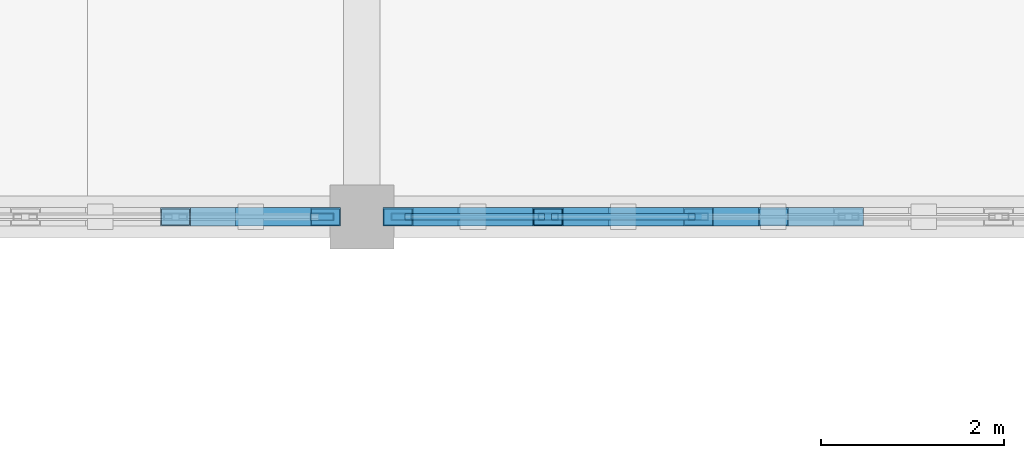
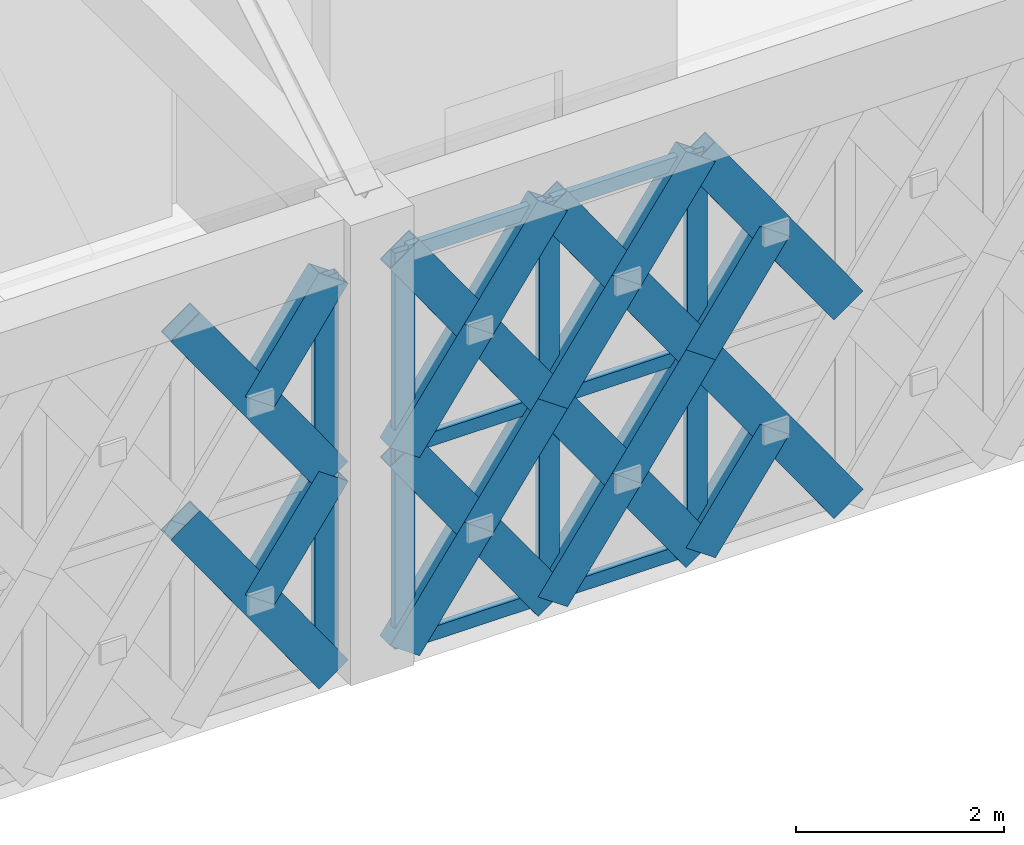
# One storey, part 43 of 72: 30 members, 2 elements without a shape of their own.
"""IFC4 building model written with IfcOpenShell, lengths in metres."""

from ifc_helpers import new_model, si_unit, direction, frame, origin, origin_2d, place, context, subcontext, project, spatial, hollow_rectangle, extrude, material, material_profile, profile_set, type_object, element, aggregate, save


model = new_model("IFC4")

# Units and contexts
model_context = context("Model", 3, precision=1e-05, world=origin(), true_north=direction((0.0, 1.0)))
body_context = subcontext(model_context, "Body", "Model", "MODEL_VIEW")
ifc_project = project(units=[si_unit("LENGTHUNIT", "METRE"), si_unit("AREAUNIT", "SQUARE_METRE"), si_unit("VOLUMEUNIT", "CUBIC_METRE"), si_unit("PLANEANGLEUNIT", "RADIAN"), si_unit("MASSUNIT", "GRAM", prefix="KILO")], contexts=[model_context])

# Site, building, storey
site_placement = place(None, origin())
site = spatial("IfcSite", under=ifc_project, at=site_placement, CompositionType="ELEMENT")
building_placement = place(site_placement, origin())
building = spatial("IfcBuilding", under=site, at=building_placement, Name="Haizhuo Lancet Aquarium", CompositionType="ELEMENT")
storey_placement = place(building_placement, frame((0.0, 0.0, 21.60009765625)))
storey = spatial("IfcBuildingStorey", under=building, at=storey_placement, Name="L04", CompositionType="ELEMENT", Elevation=21.60009765625)

# Curtain wall, members
ifc_material_1 = material(Name="Aluminium 6063-T6", Category="aluminium")
curtain_wall_type = type_object("IfcCurtainWallType", Name="CWD-8210x4650", PredefinedType="NOTDEFINED", material=ifc_material_1)
curtain_wall_1_placement = place(storey_placement, origin())
curtain_wall_1 = element("IfcCurtainWall", 1, at=curtain_wall_1_placement, inside=storey, type_object=curtain_wall_type, Name="L04 curtain wall CW-V5-L04-185", PredefinedType="NOTDEFINED")
ifc_material_profile_1 = material_profile(ifc_material_1, hollow_rectangle(XDim=0.074951171875, YDim=0.219970703125, WallThickness=0.0048828125, at=origin_2d()), Name="ALU-M 75x220x5")
ifc_profile_set_1 = profile_set([ifc_material_profile_1], Name="Aluminium 6063-T6")
member_type_1 = type_object("IfcMemberType", Name="CW-MUL-2", PredefinedType="MULLION", material=ifc_profile_set_1)
member_1_placement = place(storey_placement, frame((12.678955078125, 36.0, 0.0), z_axis=(0.0, 0.0, 1.0), x_axis=(0.0, -1.0, 0.0)))
member_1 = element("IfcMember", 2, at=member_1_placement, type_object=member_type_1, Name="CWD-82x46 mullion 4", PredefinedType="MULLION", context=body_context, shape_type="SweptSolid", body=[
    extrude(hollow_rectangle(XDim=0.074951171875, YDim=0.219970703125, WallThickness=0.0048828125, at=origin_2d()), origin(), (0.0, 0.0, 1.0), 4.64990234375),
])
member_2_placement = place(storey_placement, frame((11.037109375, 36.0, 0.0), z_axis=(0.0, 0.0, 1.0), x_axis=(0.0, -1.0, 0.0)))
member_2 = element("IfcMember", 3, at=member_2_placement, type_object=member_type_1, Name="CWD-82x46 mullion 5", PredefinedType="MULLION", context=body_context, shape_type="SweptSolid", body=[
    extrude(hollow_rectangle(XDim=0.074951171875, YDim=0.219970703125, WallThickness=0.0048828125, at=origin_2d()), origin(), (0.0, 0.0, 1.0), 4.64990234375),
])
member_3_placement = place(storey_placement, frame((9.431884765625, 36.0, 0.0), z_axis=(0.0, 0.0, 1.0), x_axis=(0.0, -1.0, 0.0)))
member_3 = element("IfcMember", 4, at=member_3_placement, type_object=member_type_1, Name="CWD-82x46 mullion 6", PredefinedType="MULLION", context=body_context, shape_type="SweptSolid", body=[
    extrude(hollow_rectangle(XDim=0.074951171875, YDim=0.219970703125, WallThickness=0.0048828125, at=origin_2d()), origin(), (0.0, 0.0, 1.0), 4.64990234375),
])

# Curtain wall, member
curtain_wall_2_placement = place(storey_placement, origin())
curtain_wall_2 = element("IfcCurtainWall", 5, at=curtain_wall_2_placement, inside=storey, type_object=curtain_wall_type, Name="L04 curtain wall CW-V5-L04-186", PredefinedType="NOTDEFINED")
ifc_material_profile_2 = material_profile(ifc_material_1, hollow_rectangle(XDim=0.080078125, YDim=0.260009765625, WallThickness=0.0048828125, at=origin_2d()), Name="ALU-M 80x260x5")
ifc_profile_set_2 = profile_set([ifc_material_profile_2], Name="Aluminium 6063-T6")
member_type_2 = type_object("IfcMemberType", Name="CW-MUL-3", PredefinedType="MULLION", material=ifc_profile_set_2)
member_4_placement = place(storey_placement, frame((8.56494140625, 36.0, 0.0), z_axis=(0.0, 0.0, 1.0), x_axis=(0.0, -1.0, 0.0)))
member_4 = element("IfcMember", 6, at=member_4_placement, type_object=member_type_2, Name="CWD-82x46 mullion 1", PredefinedType="MULLION", context=body_context, shape_type="SweptSolid", body=[
    extrude(hollow_rectangle(XDim=0.080078125, YDim=0.260009765625, WallThickness=0.0048828125, at=origin_2d()), origin(), (0.0, 0.0, 1.0), 4.64990234375),
])
aggregate(curtain_wall_2, [member_4])

# Member
ifc_material_profile_3 = material_profile(ifc_material_1, hollow_rectangle(XDim=0.074951171875, YDim=0.159912109375, WallThickness=0.00390625, at=origin_2d()), Name="ALU-T 75x160x4")
ifc_profile_set_3 = profile_set([ifc_material_profile_3], Name="Aluminium 6063-T6")
member_type_3 = type_object("IfcMemberType", Name="CW-TRN-2", PredefinedType="NOTDEFINED", material=ifc_profile_set_3)
member_5_placement = place(storey_placement, frame((12.64208984375, 36.0, 0.037841796875), z_axis=(-1.0, 0.0, 0.0), x_axis=(0.0, -1.0, 0.0)))
member_5 = element("IfcMember", 7, at=member_5_placement, type_object=member_type_3, Name="CWD-82x46 transom 4.1", ObjectType="TRANSOM", PredefinedType="USERDEFINED", context=body_context, shape_type="SweptSolid", body=[
    extrude(hollow_rectangle(XDim=0.074951171875, YDim=0.159912109375, WallThickness=0.00390625, at=origin_2d()), origin(), (0.0, 0.0, 1.0), 1.567138671875),
])

member_6_placement = place(storey_placement, frame((12.64208984375, 36.0, 2.324951171875), z_axis=(-1.0, 0.0, 0.0), x_axis=(0.0, -1.0, 0.0)))
member_6 = element("IfcMember", 8, at=member_6_placement, type_object=member_type_3, Name="CWD-82x46 transom 4.2", ObjectType="TRANSOM", PredefinedType="USERDEFINED", context=body_context, shape_type="SweptSolid", body=[
    extrude(hollow_rectangle(XDim=0.074951171875, YDim=0.159912109375, WallThickness=0.00390625, at=origin_2d()), origin(), (0.0, 0.0, 1.0), 1.567138671875),
])

member_7_placement = place(storey_placement, frame((12.64208984375, 36.0, 4.61181640625), z_axis=(-1.0, 0.0, 0.0), x_axis=(0.0, -1.0, 0.0)))
member_7 = element("IfcMember", 9, at=member_7_placement, type_object=member_type_3, Name="CWD-82x46 transom 4.3", ObjectType="TRANSOM", PredefinedType="USERDEFINED", context=body_context, shape_type="SweptSolid", body=[
    extrude(hollow_rectangle(XDim=0.074951171875, YDim=0.159912109375, WallThickness=0.00390625, at=origin_2d()), origin(), (0.0, 0.0, 1.0), 1.567138671875),
])

member_8_placement = place(storey_placement, frame((11.0, 36.0, 0.037841796875), z_axis=(-1.0, 0.0, 0.0), x_axis=(0.0, -1.0, 0.0)))
member_8 = element("IfcMember", 10, at=member_8_placement, type_object=member_type_3, Name="CWD-82x46 transom 5.1", ObjectType="TRANSOM", PredefinedType="USERDEFINED", context=body_context, shape_type="SweptSolid", body=[
    extrude(hollow_rectangle(XDim=0.074951171875, YDim=0.159912109375, WallThickness=0.00390625, at=origin_2d()), origin(), (0.0, 0.0, 1.0), 1.530029296875),
])

member_9_placement = place(storey_placement, frame((11.0, 36.0, 2.324951171875), z_axis=(-1.0, 0.0, 0.0), x_axis=(0.0, -1.0, 0.0)))
member_9 = element("IfcMember", 11, at=member_9_placement, type_object=member_type_3, Name="CWD-82x46 transom 5.2", ObjectType="TRANSOM", PredefinedType="USERDEFINED", context=body_context, shape_type="SweptSolid", body=[
    extrude(hollow_rectangle(XDim=0.074951171875, YDim=0.159912109375, WallThickness=0.00390625, at=origin_2d()), origin(), (0.0, 0.0, 1.0), 1.530029296875),
])

member_10_placement = place(storey_placement, frame((11.0, 36.0, 4.61181640625), z_axis=(-1.0, 0.0, 0.0), x_axis=(0.0, -1.0, 0.0)))
member_10 = element("IfcMember", 12, at=member_10_placement, type_object=member_type_3, Name="CWD-82x46 transom 5.3", ObjectType="TRANSOM", PredefinedType="USERDEFINED", context=body_context, shape_type="SweptSolid", body=[
    extrude(hollow_rectangle(XDim=0.074951171875, YDim=0.159912109375, WallThickness=0.00390625, at=origin_2d()), origin(), (0.0, 0.0, 1.0), 1.530029296875),
])

aggregate(curtain_wall_1, [member_1, member_2, member_3, member_5, member_6, member_7, member_8, member_9, member_10])

# Members
ifc_material_2 = material(Name="Steel S355", Category="steel")
ifc_material_profile_4 = material_profile(ifc_material_2, hollow_rectangle(XDim=0.199951171875, YDim=0.39990234375, WallThickness=0.011962890625, at=origin_2d()), Name="RHS 200x400x12")
ifc_profile_set_4 = profile_set([ifc_material_profile_4], Name="Steel S355")
member_type_4 = type_object("IfcMemberType", Name="MEM-LB-RHS200x400", PredefinedType="BRACE", material=ifc_profile_set_4)
member_11_placement = place(storey_placement, frame((14.321044921875, 36.0, 0.0), z_axis=(-0.576905431865, 0.0, 0.816810946722), x_axis=(0.0, -1.0, 0.0)))
element("IfcMember", 13, at=member_11_placement, inside=storey, type_object=member_type_4, Name="Gothic lancet continuous diagonal brace CW-V5-L04-185 5A", PredefinedType="BRACE", context=body_context, shape_type="SweptSolid", body=[
    extrude(hollow_rectangle(XDim=0.199951171875, YDim=0.39990234375, WallThickness=0.011962890625, at=origin_2d()), origin(), (0.0, 0.0, 1.0), 2.846435546875),
])
member_12_placement = place(storey_placement, frame((12.678955078125, 36.0, 0.0), z_axis=(0.576784197237, 0.0, 0.816896560048), x_axis=(0.0, 1.0, 0.0)))
element("IfcMember", 14, at=member_12_placement, inside=storey, type_object=member_type_4, Name="Gothic lancet split diagonal brace CW-V5-L04-185 5B1", PredefinedType="BRACE", context=body_context, shape_type="SweptSolid", body=[
    extrude(hollow_rectangle(XDim=0.199951171875, YDim=0.39990234375, WallThickness=0.011962890625, at=origin_2d()), origin(), (0.0, 0.0, 1.0), 1.423583984375),
])
member_13_placement = place(storey_placement, frame((14.321044921875, 36.0, 2.324951171875), z_axis=(-0.576905431865, 0.0, 0.816810946722), x_axis=(0.0, -1.0, 0.0)))
element("IfcMember", 15, at=member_13_placement, inside=storey, type_object=member_type_4, Name="Gothic lancet continuous diagonal brace CW-V5-L04-185 6A", PredefinedType="BRACE", context=body_context, shape_type="SweptSolid", body=[
    extrude(hollow_rectangle(XDim=0.199951171875, YDim=0.39990234375, WallThickness=0.011962890625, at=origin_2d()), origin(), (0.0, 0.0, 1.0), 2.846435546875),
])
member_14_placement = place(storey_placement, frame((12.678955078125, 36.0, 2.324951171875), z_axis=(0.577107574598, 0.0, 0.816668137827), x_axis=(0.0, 1.0, 0.0)))
element("IfcMember", 16, at=member_14_placement, inside=storey, type_object=member_type_4, Name="Gothic lancet split diagonal brace CW-V5-L04-185 6B1", PredefinedType="BRACE", context=body_context, shape_type="SweptSolid", body=[
    extrude(hollow_rectangle(XDim=0.199951171875, YDim=0.39990234375, WallThickness=0.011962890625, at=origin_2d()), origin(), (0.0, 0.0, 1.0), 1.422607421875),
])
member_15_placement = place(storey_placement, frame((12.678955078125, 36.0, 0.0), z_axis=(-0.57684820195, 0.0, 0.816851364635), x_axis=(0.0, -1.0, 0.0)))
element("IfcMember", 17, at=member_15_placement, inside=storey, type_object=member_type_4, Name="Gothic lancet continuous diagonal brace CW-V5-L04-185 7A", PredefinedType="BRACE", context=body_context, shape_type="SweptSolid", body=[
    extrude(hollow_rectangle(XDim=0.199951171875, YDim=0.39990234375, WallThickness=0.011962890625, at=origin_2d()), origin(), (0.0, 0.0, 1.0), 2.84619140625),
])
member_16_placement = place(storey_placement, frame((11.037109375, 36.0, 0.0), z_axis=(0.576669728982, 0.0, 0.816977370357), x_axis=(0.0, 1.0, 0.0)))
element("IfcMember", 18, at=member_16_placement, inside=storey, type_object=member_type_4, Name="Gothic lancet split diagonal brace CW-V5-L04-185 7B1", PredefinedType="BRACE", context=body_context, shape_type="SweptSolid", body=[
    extrude(hollow_rectangle(XDim=0.199951171875, YDim=0.39990234375, WallThickness=0.011962890625, at=origin_2d()), origin(), (0.0, 0.0, 1.0), 1.42333984375),
])
member_17_placement = place(storey_placement, frame((11.85791015625, 36.0, 1.162841796875), z_axis=(0.57702670475, 0.0, 0.816725279396), x_axis=(0.0, 1.0, 0.0)))
element("IfcMember", 19, at=member_17_placement, inside=storey, type_object=member_type_4, Name="Gothic lancet split diagonal brace CW-V5-L04-185 7B2", PredefinedType="BRACE", context=body_context, shape_type="SweptSolid", body=[
    extrude(hollow_rectangle(XDim=0.199951171875, YDim=0.39990234375, WallThickness=0.011962890625, at=origin_2d()), origin(), (0.0, 0.0, 1.0), 1.4228515625),
])
member_18_placement = place(storey_placement, frame((12.678955078125, 36.0, 2.324951171875), z_axis=(-0.57684820195, 0.0, 0.816851364635), x_axis=(0.0, -1.0, 0.0)))
element("IfcMember", 20, at=member_18_placement, inside=storey, type_object=member_type_4, Name="Gothic lancet continuous diagonal brace CW-V5-L04-185 8A", PredefinedType="BRACE", context=body_context, shape_type="SweptSolid", body=[
    extrude(hollow_rectangle(XDim=0.199951171875, YDim=0.39990234375, WallThickness=0.011962890625, at=origin_2d()), origin(), (0.0, 0.0, 1.0), 2.84619140625),
])
member_19_placement = place(storey_placement, frame((11.037109375, 36.0, 2.324951171875), z_axis=(0.576993106189, 0.0, 0.816749016167), x_axis=(0.0, 1.0, 0.0)))
element("IfcMember", 21, at=member_19_placement, inside=storey, type_object=member_type_4, Name="Gothic lancet split diagonal brace CW-V5-L04-185 8B1", PredefinedType="BRACE", context=body_context, shape_type="SweptSolid", body=[
    extrude(hollow_rectangle(XDim=0.199951171875, YDim=0.39990234375, WallThickness=0.011962890625, at=origin_2d()), origin(), (0.0, 0.0, 1.0), 1.422607421875),
])
member_20_placement = place(storey_placement, frame((11.85791015625, 36.0, 3.48681640625), z_axis=(0.576703395402, 0.0, 0.816953605618), x_axis=(0.0, 1.0, 0.0)))
element("IfcMember", 22, at=member_20_placement, inside=storey, type_object=member_type_4, Name="Gothic lancet split diagonal brace CW-V5-L04-185 8B2", PredefinedType="BRACE", context=body_context, shape_type="SweptSolid", body=[
    extrude(hollow_rectangle(XDim=0.199951171875, YDim=0.39990234375, WallThickness=0.011962890625, at=origin_2d()), origin(), (0.0, 0.0, 1.0), 1.423583984375),
])
member_21_placement = place(storey_placement, frame((11.037109375, 36.0, 0.0), z_axis=(-0.576905431865, 0.0, 0.816810946722), x_axis=(0.0, -1.0, 0.0)))
element("IfcMember", 23, at=member_21_placement, inside=storey, type_object=member_type_4, Name="Gothic lancet continuous diagonal brace CW-V5-L04-185 9A", PredefinedType="BRACE", context=body_context, shape_type="SweptSolid", body=[
    extrude(hollow_rectangle(XDim=0.199951171875, YDim=0.39990234375, WallThickness=0.011962890625, at=origin_2d()), origin(), (0.0, 0.0, 1.0), 2.846435546875),
])
member_22_placement = place(storey_placement, frame((9.39501953125, 36.0, 0.0), z_axis=(0.576784197237, 0.0, 0.816896560048), x_axis=(0.0, 1.0, 0.0)))
element("IfcMember", 24, at=member_22_placement, inside=storey, type_object=member_type_4, Name="Gothic lancet split diagonal brace CW-V5-L04-185 9B1", PredefinedType="BRACE", context=body_context, shape_type="SweptSolid", body=[
    extrude(hollow_rectangle(XDim=0.199951171875, YDim=0.39990234375, WallThickness=0.011962890625, at=origin_2d()), origin(), (0.0, 0.0, 1.0), 1.423583984375),
])
member_23_placement = place(storey_placement, frame((10.216064453125, 36.0, 1.162841796875), z_axis=(0.57702670475, 0.0, 0.816725279396), x_axis=(0.0, 1.0, 0.0)))
element("IfcMember", 25, at=member_23_placement, inside=storey, type_object=member_type_4, Name="Gothic lancet split diagonal brace CW-V5-L04-185 9B2", PredefinedType="BRACE", context=body_context, shape_type="SweptSolid", body=[
    extrude(hollow_rectangle(XDim=0.199951171875, YDim=0.39990234375, WallThickness=0.011962890625, at=origin_2d()), origin(), (0.0, 0.0, 1.0), 1.4228515625),
])
member_24_placement = place(storey_placement, frame((11.037109375, 36.0, 2.324951171875), z_axis=(-0.576905431865, 0.0, 0.816810946722), x_axis=(0.0, -1.0, 0.0)))
element("IfcMember", 26, at=member_24_placement, inside=storey, type_object=member_type_4, Name="Gothic lancet continuous diagonal brace CW-V5-L04-185 10A", PredefinedType="BRACE", context=body_context, shape_type="SweptSolid", body=[
    extrude(hollow_rectangle(XDim=0.199951171875, YDim=0.39990234375, WallThickness=0.011962890625, at=origin_2d()), origin(), (0.0, 0.0, 1.0), 2.846435546875),
])
member_25_placement = place(storey_placement, frame((9.39501953125, 36.0, 2.324951171875), z_axis=(0.577107574598, 0.0, 0.816668137827), x_axis=(0.0, 1.0, 0.0)))
element("IfcMember", 27, at=member_25_placement, inside=storey, type_object=member_type_4, Name="Gothic lancet split diagonal brace CW-V5-L04-185 10B1", PredefinedType="BRACE", context=body_context, shape_type="SweptSolid", body=[
    extrude(hollow_rectangle(XDim=0.199951171875, YDim=0.39990234375, WallThickness=0.011962890625, at=origin_2d()), origin(), (0.0, 0.0, 1.0), 1.422607421875),
])
member_26_placement = place(storey_placement, frame((10.216064453125, 36.0, 3.48681640625), z_axis=(0.576703395402, 0.0, 0.816953605618), x_axis=(0.0, 1.0, 0.0)))
element("IfcMember", 28, at=member_26_placement, inside=storey, type_object=member_type_4, Name="Gothic lancet split diagonal brace CW-V5-L04-185 10B2", PredefinedType="BRACE", context=body_context, shape_type="SweptSolid", body=[
    extrude(hollow_rectangle(XDim=0.199951171875, YDim=0.39990234375, WallThickness=0.011962890625, at=origin_2d()), origin(), (0.0, 0.0, 1.0), 1.423583984375),
])
member_27_placement = place(storey_placement, frame((8.60498046875, 36.0, 0.0), z_axis=(-0.576905431865, 0.0, 0.816810946722), x_axis=(0.0, -1.0, 0.0)))
element("IfcMember", 29, at=member_27_placement, inside=storey, type_object=member_type_4, Name="Gothic lancet continuous diagonal brace CW-V5-L04-186 1A", PredefinedType="BRACE", context=body_context, shape_type="SweptSolid", body=[
    extrude(hollow_rectangle(XDim=0.199951171875, YDim=0.39990234375, WallThickness=0.011962890625, at=origin_2d()), origin(), (0.0, 0.0, 1.0), 2.846435546875),
])
member_28_placement = place(storey_placement, frame((7.783935546875, 36.0, 1.162841796875), z_axis=(0.57702670475, 0.0, 0.816725279396), x_axis=(0.0, 1.0, 0.0)))
element("IfcMember", 30, at=member_28_placement, inside=storey, type_object=member_type_4, Name="Gothic lancet split diagonal brace CW-V5-L04-186 1B2", PredefinedType="BRACE", context=body_context, shape_type="SweptSolid", body=[
    extrude(hollow_rectangle(XDim=0.199951171875, YDim=0.39990234375, WallThickness=0.011962890625, at=origin_2d()), origin(), (0.0, 0.0, 1.0), 1.4228515625),
])
member_29_placement = place(storey_placement, frame((8.60498046875, 36.0, 2.324951171875), z_axis=(-0.576905431865, 0.0, 0.816810946722), x_axis=(0.0, -1.0, 0.0)))
element("IfcMember", 31, at=member_29_placement, inside=storey, type_object=member_type_4, Name="Gothic lancet continuous diagonal brace CW-V5-L04-186 2A", PredefinedType="BRACE", context=body_context, shape_type="SweptSolid", body=[
    extrude(hollow_rectangle(XDim=0.199951171875, YDim=0.39990234375, WallThickness=0.011962890625, at=origin_2d()), origin(), (0.0, 0.0, 1.0), 2.846435546875),
])
member_30_placement = place(storey_placement, frame((7.783935546875, 36.0, 3.48681640625), z_axis=(0.576703395402, 0.0, 0.816953605618), x_axis=(0.0, 1.0, 0.0)))
element("IfcMember", 32, at=member_30_placement, inside=storey, type_object=member_type_4, Name="Gothic lancet split diagonal brace CW-V5-L04-186 2B2", PredefinedType="BRACE", context=body_context, shape_type="SweptSolid", body=[
    extrude(hollow_rectangle(XDim=0.199951171875, YDim=0.39990234375, WallThickness=0.011962890625, at=origin_2d()), origin(), (0.0, 0.0, 1.0), 1.423583984375),
])

save(model, "model.ifc")
